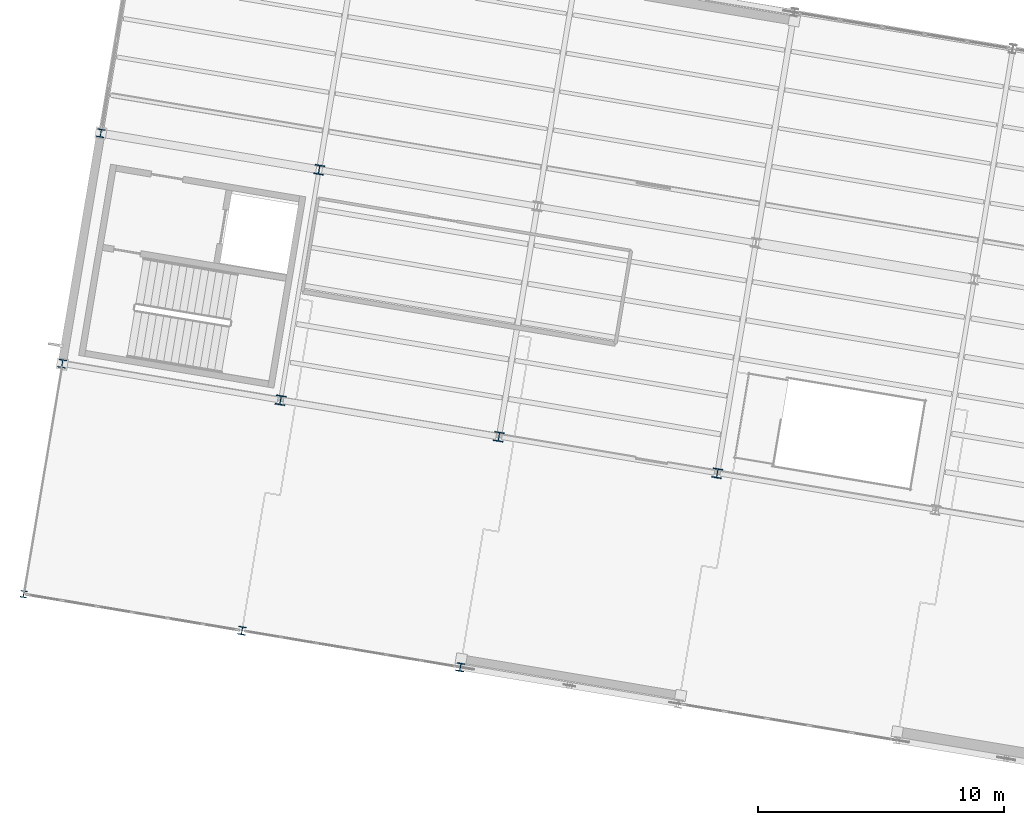
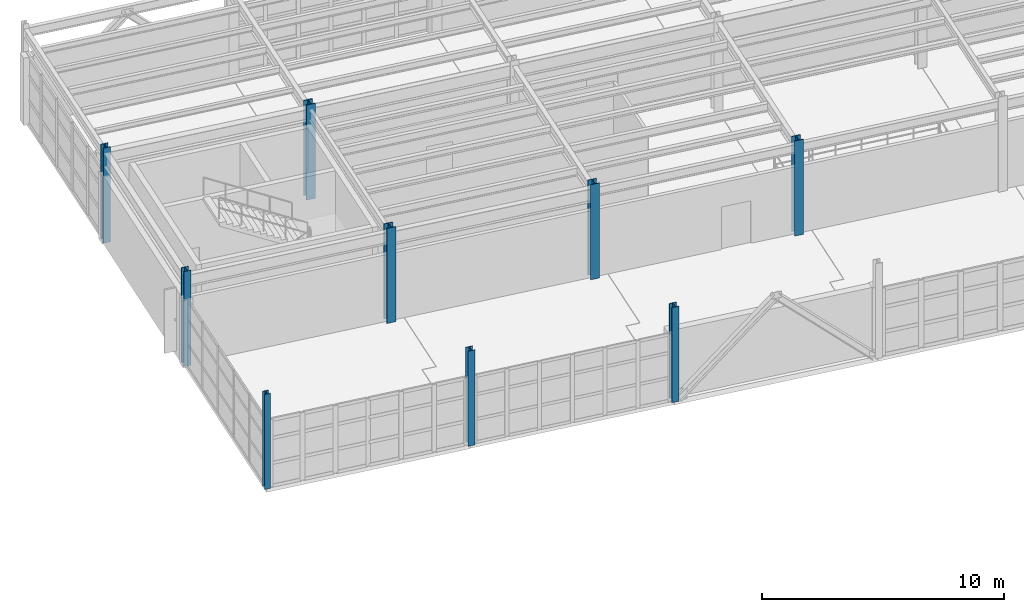
# One storey, part 9 of 102: 9 columns.
"""IFC4 building model written with IfcOpenShell, lengths in metres."""

from ifc_helpers import new_model, si_unit, direction, frame, origin, origin_2d, place, context, subcontext, project, spatial, i_section, extrude, material, material_profile, profile_set, type_object, element, save


model = new_model("IFC4")

# Units and contexts
model_context = context("Model", 3, precision=1e-05, world=origin(), true_north=direction((0.0, 1.0)))
body_context = subcontext(model_context, "Body", "Model", "MODEL_VIEW")
ifc_project = project(units=[si_unit("LENGTHUNIT", "METRE"), si_unit("AREAUNIT", "SQUARE_METRE"), si_unit("VOLUMEUNIT", "CUBIC_METRE"), si_unit("PLANEANGLEUNIT", "RADIAN"), si_unit("MASSUNIT", "GRAM", prefix="KILO")], contexts=[model_context])

# Site, building, storey
site_placement = place(None, origin())
site = spatial("IfcSite", under=ifc_project, at=site_placement, CompositionType="ELEMENT")
building_placement = place(site_placement, origin())
building = spatial("IfcBuilding", under=site, at=building_placement, Name="Vireo Bluff Cable Station", CompositionType="ELEMENT")
storey_placement = place(building_placement, frame((0.0, 0.0, 9.60009765625)))
storey = spatial("IfcBuildingStorey", under=building, at=storey_placement, Name="L02", CompositionType="ELEMENT", Elevation=9.60009765625)

# Columns
ifc_material = material(Name="Steel ASTM A992 Gr. 50", Category="steel")
ifc_material_profile_1 = material_profile(ifc_material, i_section(OverallWidth=0.39404296875, OverallDepth=0.3759765625, WebThickness=0.017333984375, FlangeThickness=0.027587890625, FilletRadius=0.014892578125, at=origin_2d()), Name="W14X145")
ifc_profile_set_1 = profile_set([ifc_material_profile_1], Name="Steel ASTM A992 Gr. 50")
column_type_1 = type_object("IfcColumnType", Name="COL-W14X145", PredefinedType="COLUMN", material=ifc_profile_set_1)
column_1_placement = place(storey_placement, frame((24.821044921875, 77.89892578125, 0.0), z_axis=(0.0, 0.0, 1.0), x_axis=(0.986285601537, -0.165047605861, 0.0)))
element("IfcColumn", 1, at=column_1_placement, inside=storey, type_object=column_type_1, Name="V4 L02 column 281", PredefinedType="COLUMN", context=body_context, shape_type="SweptSolid", body=[
    extrude(i_section(OverallWidth=0.39404296875, OverallDepth=0.3759765625, WebThickness=0.017333984375, FlangeThickness=0.027587890625, FilletRadius=0.014892578125, at=origin_2d()), origin(), (0.0, 0.0, 1.0), 4.7998046875),
])
ifc_material_profile_2 = material_profile(ifc_material, i_section(OverallWidth=0.39599609375, OverallDepth=0.381103515625, WebThickness=0.018798828125, FlangeThickness=0.0302734375, FilletRadius=0.014892578125, at=origin_2d()), Name="W14X159")
ifc_profile_set_2 = profile_set([ifc_material_profile_2], Name="Steel ASTM A992 Gr. 50")
column_type_2 = type_object("IfcColumnType", Name="COL-W14X159", PredefinedType="COLUMN", material=ifc_profile_set_2)
for number, where, z_axis, x_axis, name in (
    (2, (15.944580078125, 79.38427734375, 0.0), (0.0, 0.0, 1.0), (0.986285601537, -0.165047605861, 0.0), "V4 L02 column 266"),
    (3, (17.512451171875, 88.75390625, 0.0), (0.0, 0.0, 1.0), (0.986285601537, -0.165047605861, 0.0), "V4 L02 column 270"),
    (4, (33.69775390625, 76.413330078125, 0.0), (0.0, 0.0, 1.0), (0.986285601537, -0.165047605861, 0.0), "V4 L02 column 296"),
):
    element("IfcColumn", number, at=place(storey_placement, frame(where, z_axis=z_axis, x_axis=x_axis)), inside=storey, type_object=column_type_2, Name=name, PredefinedType="COLUMN", context=body_context, shape_type="SweptSolid", body=[
        extrude(i_section(OverallWidth=0.39599609375, OverallDepth=0.381103515625, WebThickness=0.018798828125, FlangeThickness=0.0302734375, FilletRadius=0.014892578125, at=origin_2d()), origin(), (0.0, 0.0, 1.0), 4.7998046875),
    ])
ifc_material_profile_3 = material_profile(ifc_material, i_section(OverallWidth=0.31298828125, OverallDepth=0.3330078125, WebThickness=0.01806640625, FlangeThickness=0.028076171875, FilletRadius=0.012939453125, at=origin_2d()), Name="W12X120")
ifc_profile_set_3 = profile_set([ifc_material_profile_3], Name="Steel ASTM A992 Gr. 50")
column_type_3 = type_object("IfcColumnType", Name="ECOL-W12X120", PredefinedType="COLUMN", material=ifc_profile_set_3)
column_2_placement = place(storey_placement, frame((23.253173828125, 68.529052734375, 0.0), z_axis=(0.0, 0.0, 1.0), x_axis=(0.986285601537, -0.165047605861, 0.0)))
element("IfcColumn", 5, at=column_2_placement, inside=storey, type_object=column_type_3, Name="V4 L02 column 278", PredefinedType="COLUMN", context=body_context, shape_type="SweptSolid", body=[
    extrude(i_section(OverallWidth=0.31298828125, OverallDepth=0.3330078125, WebThickness=0.01806640625, FlangeThickness=0.028076171875, FilletRadius=0.012939453125, at=origin_2d()), origin(), (0.0, 0.0, 1.0), 4.7998046875),
])
ifc_material_profile_4 = material_profile(ifc_material, i_section(OverallWidth=0.30908203125, OverallDepth=0.322998046875, WebThickness=0.013916015625, FlangeThickness=0.02294921875, FilletRadius=0.012939453125, at=origin_2d()), Name="W12X96")
ifc_profile_set_4 = profile_set([ifc_material_profile_4], Name="Steel ASTM A992 Gr. 50")
column_type_4 = type_object("IfcColumnType", Name="ECOL-W12X96", PredefinedType="COLUMN", material=ifc_profile_set_4)
for number, where, z_axis, x_axis, name in (
    (6, (7.06787109375, 80.86962890625, 0.0), (0.0, 0.0, 1.0), (0.986285601537, -0.165047605861, 0.0), "V4 L02 column 251"),
    (7, (8.635986328125, 90.239501953125, 0.0), (0.0, 0.0, 1.0), (0.986285601537, -0.165047605861, 0.0), "V4 L02 column 255"),
    (8, (14.37646484375, 70.0146484375, 0.0), (0.0, 0.0, 1.0), (0.986285601537, -0.165047605861, 0.0), "V4 L02 column 263"),
):
    element("IfcColumn", number, at=place(storey_placement, frame(where, z_axis=z_axis, x_axis=x_axis)), inside=storey, type_object=column_type_4, Name=name, PredefinedType="COLUMN", context=body_context, shape_type="SweptSolid", body=[
        extrude(i_section(OverallWidth=0.30908203125, OverallDepth=0.322998046875, WebThickness=0.013916015625, FlangeThickness=0.02294921875, FilletRadius=0.012939453125, at=origin_2d()), origin(), (0.0, 0.0, 1.0), 4.7998046875),
    ])
ifc_material_profile_5 = material_profile(ifc_material, i_section(OverallWidth=0.257080078125, OverallDepth=0.263916015625, WebThickness=0.011962890625, FlangeThickness=0.01953125, FilletRadius=0.009033203125, at=origin_2d()), Name="W10X68")
ifc_profile_set_5 = profile_set([ifc_material_profile_5], Name="Steel ASTM A992 Gr. 50")
column_type_5 = type_object("IfcColumnType", Name="PIL-W10X68", PredefinedType="PILASTER", material=ifc_profile_set_5)
column_3_placement = place(storey_placement, frame((5.5, 71.5, 0.0), z_axis=(0.0, 0.0, 1.0), x_axis=(0.986285601537, -0.165047605861, 0.0)))
element("IfcColumn", 9, at=column_3_placement, inside=storey, type_object=column_type_5, Name="V4 L02 column 248", PredefinedType="PILASTER", context=body_context, shape_type="SweptSolid", body=[
    extrude(i_section(OverallWidth=0.257080078125, OverallDepth=0.263916015625, WebThickness=0.011962890625, FlangeThickness=0.01953125, FilletRadius=0.009033203125, at=origin_2d()), origin(), (0.0, 0.0, 1.0), 4.7998046875),
])

save(model, "model.ifc")
